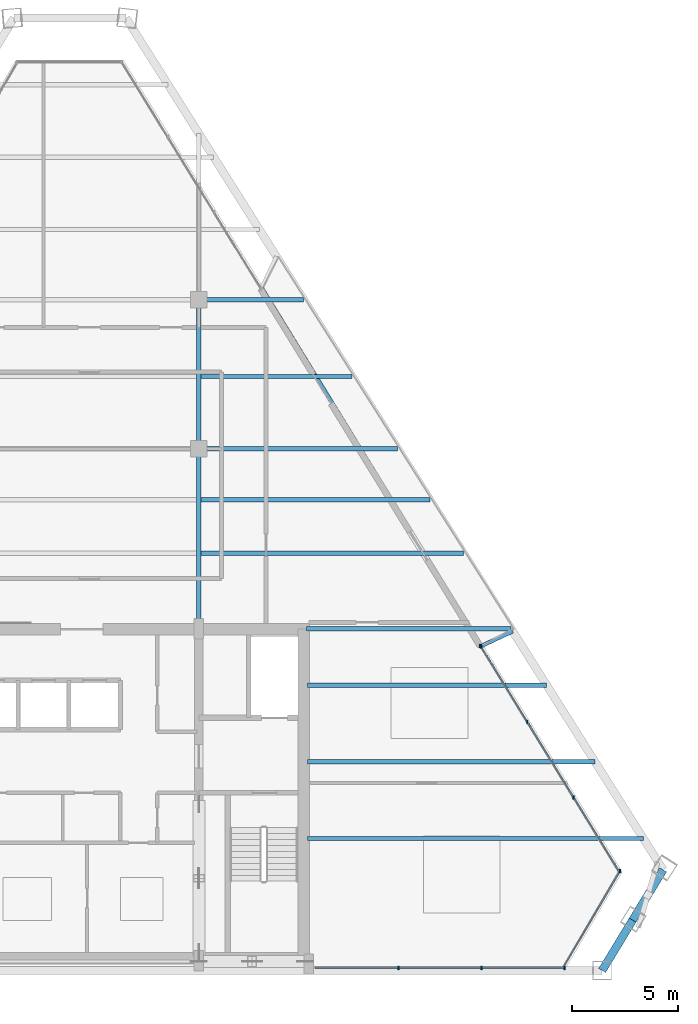
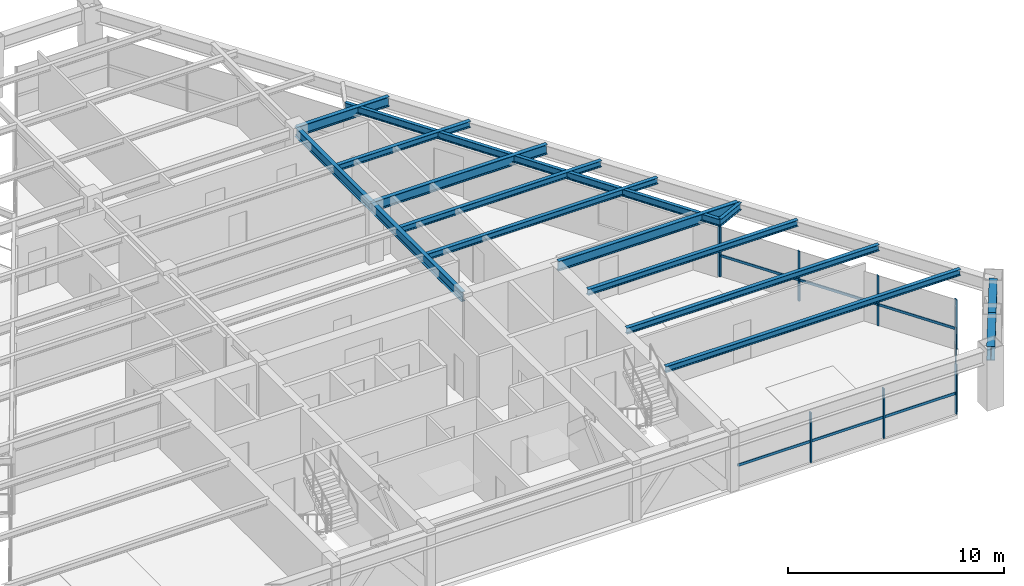
# One storey, part 5 of 13: 15 beams, 15 members, 3 elements without a shape of their own.
"""IFC4 building model written with IfcOpenShell, lengths in metres."""

import ifcopenshell
import ifcopenshell.guid

model = None  # the IFC model being written
_history = None  # IfcOwnerHistory: only IFC2X3 demands one
_inside = {}  # id of a spatial element -> (the spatial element, [elements in it])
_under = {}  # id of a project, library or spatial element -> (it, [spatial elements below it])
_declared = {}  # id of a project -> (the project, [libraries it declares])
_typed = {}  # id of a type object -> (the type object, [elements of that type])
_made_of = {}  # id of a material, layer set ... -> (it, [elements and type objects made of it])


def new_model(schema):
    """Start an empty IFC model of exactly this schema.

    Asked for "IFC4X3", IfcOpenShell would pick the latest addendum, in which some entities
    have other attributes; the version numbers below select the first issue.
    IFC2X3 requires an IfcOwnerHistory on every rooted entity: one is made here for all.
    """
    global model, _history
    if schema == "IFC4X3":
        model = ifcopenshell.file(schema_version=(4, 3, 0, 0))
    else:
        model = ifcopenshell.file(schema=schema)
    _inside.clear()
    _under.clear()
    _declared.clear()
    _typed.clear()
    _made_of.clear()
    _history = None
    if model.schema == "IFC2X3":
        org = make("IfcOrganization", Name="unknown")
        user = make(
            "IfcPersonAndOrganization",
            ThePerson=make("IfcPerson", FamilyName="unknown"),
            TheOrganization=org,
        )
        app = make(
            "IfcApplication",
            ApplicationDeveloper=org,
            Version="unknown",
            ApplicationFullName="unknown",
            ApplicationIdentifier="unknown",
        )
        _history = make(
            "IfcOwnerHistory",
            OwningUser=user,
            OwningApplication=app,
            ChangeAction="ADDED",
            CreationDate=0,
        )
    return model


def make(cls, **values):
    """One entity of the class cls with the attributes given. An attribute that is None is left unset."""
    return model.create_entity(
        cls, **{name: value for name, value in values.items() if value is not None}
    )


def rooted(cls, **values):
    """An entity with a GlobalId (a new one), such as an element, a storey or a relation."""
    return make(cls, GlobalId=ifcopenshell.guid.new(), OwnerHistory=_history, **values)


def si_unit(unit_type, name, prefix=None):
    """IfcSIUnit, for example si_unit("LENGTHUNIT", "METRE", prefix="MILLI")."""
    return make("IfcSIUnit", UnitType=unit_type, Prefix=prefix, Name=name)


def assignment(units):
    """IfcUnitAssignment: the units of a project."""
    return None if units is None else make("IfcUnitAssignment", Units=units)


def point(xyz):
    """IfcCartesianPoint."""
    return None if xyz is None else make("IfcCartesianPoint", Coordinates=xyz)


def direction(xyz):
    """IfcDirection."""
    return None if xyz is None else make("IfcDirection", DirectionRatios=xyz)


def frame(location, z_axis=None, x_axis=None):
    """IfcAxis2Placement3D, a coordinate frame: its origin and axes. An axis left out is left unset."""
    return make(
        "IfcAxis2Placement3D",
        Location=point(location),
        Axis=direction(z_axis),
        RefDirection=direction(x_axis),
    )


def frame_2d(location, x_axis=None):
    """IfcAxis2Placement2D, a coordinate frame in the plane: its origin and x axis."""
    return make(
        "IfcAxis2Placement2D", Location=point(location), RefDirection=direction(x_axis)
    )


def origin():
    """The frame at (0, 0, 0) with its axes left unset."""
    return frame((0.0, 0.0, 0.0))


def origin_2d():
    """The frame at (0, 0) in the plane with its x axis left unset."""
    return frame_2d((0.0, 0.0))


def place(relative_to, where):
    """IfcLocalPlacement: puts the frame where relative to a parent placement (None: the world)."""
    return make(
        "IfcLocalPlacement", PlacementRelTo=relative_to, RelativePlacement=where
    )


def context(
    kind, dimensions, precision=None, world=None, true_north=None, identifier=None
):
    """IfcGeometricRepresentationContext, for example the 3D "Model" context."""
    return make(
        "IfcGeometricRepresentationContext",
        ContextIdentifier=identifier,
        ContextType=kind,
        CoordinateSpaceDimension=dimensions,
        Precision=precision,
        WorldCoordinateSystem=world,
        TrueNorth=true_north,
    )


def subcontext(parent, identifier, kind, view, scale=None):
    """IfcGeometricRepresentationSubContext, for example "Body" below "Model"."""
    return make(
        "IfcGeometricRepresentationSubContext",
        ContextIdentifier=identifier,
        ContextType=kind,
        ParentContext=parent,
        TargetScale=scale,
        TargetView=view,
    )


def project(units=None, contexts=None):
    """IfcProject with its units and contexts."""
    return rooted(
        "IfcProject",
        Name="project",
        RepresentationContexts=contexts,
        UnitsInContext=assignment(units),
    )


def spatial(cls, under=None, at=None, **own):
    """A site, building, storey or space (cls), placed at a placement, below another one or the project."""
    s = rooted(cls, ObjectPlacement=at, **own)
    if under is not None:
        _under.setdefault(under.id(), (under, []))[1].append(s)
    return s


def profile(cls, at=None, kind="AREA", **sizes):
    """A parametric profile (cls). Its sizes go by their IFC names, for example OverallWidth=200.0."""
    return make(cls, ProfileType=kind, Position=at, **sizes)


def rectangle(**sizes):
    """IfcRectangleProfileDef."""
    return profile("IfcRectangleProfileDef", **sizes)


def i_section(**sizes):
    """IfcIShapeProfileDef."""
    return profile("IfcIShapeProfileDef", **sizes)


def extrude(swept, where, along, depth):
    """IfcExtrudedAreaSolid: the profile swept, set in the frame where, extruded along a direction by depth."""
    return make(
        "IfcExtrudedAreaSolid",
        SweptArea=swept,
        Position=where,
        ExtrudedDirection=direction(along),
        Depth=depth,
    )


def shape(context_of_items, identifier, shape_type, items):
    """IfcShapeRepresentation: the items that make up one representation, for example the "Body"."""
    return make(
        "IfcShapeRepresentation",
        ContextOfItems=context_of_items,
        RepresentationIdentifier=identifier,
        RepresentationType=shape_type,
        Items=items,
    )


def source(mapping_origin, context_of_items, identifier, shape_type, items):
    """IfcRepresentationMap: a shape defined once, which mapped items show again and again."""
    return make(
        "IfcRepresentationMap",
        MappingOrigin=mapping_origin,
        MappedRepresentation=shape(context_of_items, identifier, shape_type, items),
    )


def transform(
    local_origin,
    x_axis=None,
    y_axis=None,
    z_axis=None,
    scale=None,
    scale2=None,
    scale3=None,
    uniform=True,
):
    """IfcCartesianTransformationOperator3D, or its non-uniform kind. x_axis, y_axis, z_axis: its Axis1, 2, 3."""
    if uniform:
        return make(
            "IfcCartesianTransformationOperator3D",
            Axis1=direction(x_axis),
            Axis2=direction(y_axis),
            LocalOrigin=point(local_origin),
            Scale=scale,
            Axis3=direction(z_axis),
        )
    return make(
        "IfcCartesianTransformationOperator3DnonUniform",
        Axis1=direction(x_axis),
        Axis2=direction(y_axis),
        LocalOrigin=point(local_origin),
        Scale=scale,
        Axis3=direction(z_axis),
        Scale2=scale2,
        Scale3=scale3,
    )


def mapped(mapping_source, mapping_target):
    """IfcMappedItem: shows the shape of a source again, moved by a transform."""
    return make(
        "IfcMappedItem", MappingSource=mapping_source, MappingTarget=mapping_target
    )


def material(Name=None, Category=None):
    """IfcMaterial."""
    return make("IfcMaterial", Name=Name, Category=Category)


def material_profile(
    of_material, cross_section, Name=None, Category=None, Priority=None
):
    """IfcMaterialProfile: a cross section and its material."""
    return make(
        "IfcMaterialProfile",
        Name=Name,
        Material=of_material,
        Profile=cross_section,
        Priority=Priority,
        Category=Category,
    )


def profile_set(profiles, Name=None, composite=None):
    """IfcMaterialProfileSet."""
    return make(
        "IfcMaterialProfileSet",
        Name=Name,
        MaterialProfiles=profiles,
        CompositeProfile=composite,
    )


def made_of(thing, what):
    """Note that an element or type object is made of a material, layer set ...; save() writes the relation."""
    if what is not None:
        _made_of.setdefault(what.id(), (what, []))[1].append(thing)
    return thing


def type_object(cls, material=None, **own):
    """A type object (cls), such as IfcWallType, which elements share."""
    return made_of(rooted(cls, **own), material)


def type_shapes(of_type, sources):
    """Give a type object the sources (RepresentationMaps) that its elements show as mapped items."""
    of_type.RepresentationMaps = sources


def element(
    cls,
    number,
    at=None,
    inside=None,
    cuts=None,
    type_object=None,
    material=None,
    context=None,
    identifier="Body",
    shape_type=None,
    held_by="IfcProductDefinitionShape",
    body=None,
    shapes=None,
    **own,
):
    """One element of the class cls, such as IfcWall. Its Tag is "e" and its number.

    at: its placement. inside: the storey or other place that contains it. cuts: it is an
    opening in that element (IfcRelVoidsElement). A single representation is given by context,
    identifier, shape_type and body (its items); several are given by shapes. held_by: the class
    of the entity that holds the representations. save() writes the other relations.
    """
    e = rooted(cls, Tag="e%d" % number, ObjectPlacement=at, **own)
    if body is not None:
        shapes = [shape(context, identifier, shape_type, body)]
    if shapes is not None:
        e.Representation = make(held_by, Representations=shapes)
    if inside is not None:
        _inside.setdefault(inside.id(), (inside, []))[1].append(e)
    if cuts is not None:
        rooted(
            "IfcRelVoidsElement", RelatingBuildingElement=cuts, RelatedOpeningElement=e
        )
    if type_object is not None:
        _typed.setdefault(type_object.id(), (type_object, []))[1].append(e)
    return made_of(e, material)


def aggregate(whole, parts):
    """IfcRelAggregates: a whole, such as a stair, and the parts it consists of."""
    return rooted("IfcRelAggregates", RelatingObject=whole, RelatedObjects=parts)


def save(model, path):
    """Write the relations noted so far, then the file.

    IfcRelAggregates (storeys below a building ...), IfcRelContainedInSpatialStructure (elements
    in a storey), IfcRelDefinesByType, IfcRelAssociatesMaterial and IfcRelDeclares: one each for
    every whole, place, type object, material and project.
    """
    for whole, parts in _under.values():
        aggregate(whole, parts)
    for where, things in _inside.values():
        rooted(
            "IfcRelContainedInSpatialStructure",
            RelatedElements=things,
            RelatingStructure=where,
        )
    for kind, things in _typed.values():
        rooted("IfcRelDefinesByType", RelatedObjects=things, RelatingType=kind)
    for what, things in _made_of.values():
        rooted("IfcRelAssociatesMaterial", RelatedObjects=things, RelatingMaterial=what)
    for by, libraries in _declared.values():
        rooted("IfcRelDeclares", RelatingContext=by, RelatedDefinitions=libraries)
    model.write(path)


model = new_model("IFC4")

# Units and contexts
model_context = context("Model", 3, precision=1e-05, world=origin(), true_north=direction((0.0, 1.0)))
body_context = subcontext(model_context, "Body", "Model", "MODEL_VIEW")
ifc_project = project(units=[si_unit("LENGTHUNIT", "METRE"), si_unit("AREAUNIT", "SQUARE_METRE"), si_unit("VOLUMEUNIT", "CUBIC_METRE"), si_unit("PLANEANGLEUNIT", "RADIAN"), si_unit("MASSUNIT", "GRAM", prefix="KILO")], contexts=[model_context])

# Site, building, storey
site_placement = place(None, origin())
site = spatial("IfcSite", under=ifc_project, at=site_placement, CompositionType="ELEMENT")
building_placement = place(site_placement, origin())
building = spatial("IfcBuilding", under=site, at=building_placement, Name="Varnakhor Terracotta Tower", CompositionType="ELEMENT")
storey_placement = place(building_placement, frame((0.0, 0.0, 244.14990234375)))
storey = spatial("IfcBuildingStorey", under=building, at=storey_placement, Name="L63", CompositionType="ELEMENT", Elevation=244.14990234375)

# Beams
ifc_material_1 = material(Name="Steel S355", Category="steel")
ifc_material_profile_1 = material_profile(ifc_material_1, i_section(OverallWidth=0.214111328125, OverallDepth=0.549072265625, WebThickness=0.014892578125, FlangeThickness=0.02392578125, FilletRadius=0.01806640625, at=origin_2d()), Name="W21X93")
ifc_profile_set_1 = profile_set([ifc_material_profile_1], Name="Steel S355")
beam_type_1 = type_object("IfcBeamType", Name="BM-W21X93", PredefinedType="BEAM", material=ifc_profile_set_1)
shared_shape_1 = source(origin(), body_context, "Body", "SweptSolid", [
    extrude(i_section(OverallWidth=0.214111328125, OverallDepth=0.549072265625, WebThickness=0.014892578125, FlangeThickness=0.02392578125, FilletRadius=0.01806640625, at=origin_2d()), origin(), (0.0, 0.0, 1.0), 8.449951171875),
])
type_shapes(beam_type_1, [shared_shape_1])
beam_1_placement = place(storey_placement, frame((5.5, 16.050048828125, 2.965576171875), z_axis=(0.0, 1.0, 0.0), x_axis=(-1.0, 0.0, 0.0)))
element("IfcBeam", 1, at=beam_1_placement, inside=storey, type_object=beam_type_1, Name="L63 Primary Girder NS1-E", PredefinedType="BEAM", context=body_context, shape_type="MappedRepresentation", body=[
    mapped(shared_shape_1, transform((0.0, 0.0, 0.0), scale=1.0)),
])
shared_shape_2 = source(origin(), body_context, "Body", "SweptSolid", [
    extrude(i_section(OverallWidth=0.214111328125, OverallDepth=0.549072265625, WebThickness=0.014892578125, FlangeThickness=0.02392578125, FilletRadius=0.01806640625, at=origin_2d()), origin(), (0.0, 0.0, 1.0), 7.0),
])
beam_2_placement = place(storey_placement, frame((5.5, 24.5, 2.965576171875), z_axis=(0.0, 1.0, 0.0), x_axis=(-1.0, 0.0, 0.0)))
element("IfcBeam", 2, at=beam_2_placement, inside=storey, type_object=beam_type_1, Name="L63 Primary Girder NS2-E", PredefinedType="BEAM", context=body_context, shape_type="MappedRepresentation", body=[
    mapped(shared_shape_2, transform((0.0, 0.0, 0.0), scale=1.0)),
])
ifc_material_profile_2 = material_profile(ifc_material_1, i_section(OverallWidth=0.381103515625, OverallDepth=0.77294921875, WebThickness=0.01708984375, FlangeThickness=0.027099609375, FilletRadius=0.01806640625, at=origin_2d()), Name="W30X173")
ifc_profile_set_2 = profile_set([ifc_material_profile_2], Name="Steel S355")
beam_type_2 = type_object("IfcBeamType", Name="BM-W30X173", PredefinedType="BEAM", material=ifc_profile_set_2)
shared_shape_3 = source(origin(), body_context, "Body", "SweptSolid", [
    extrude(i_section(OverallWidth=0.381103515625, OverallDepth=0.77294921875, WebThickness=0.01708984375, FlangeThickness=0.027099609375, FilletRadius=0.01806640625, at=origin_2d()), origin(), (0.0, 0.0, 1.0), 2.76220703125),
])
for number, where, z_axis, x_axis, name in (
    (3, (24.440185546875, 0.0, 2.853515625), (0.518013743971, 0.855372293833, 0.0), (-0.855372293833, 0.518013743971, 0.0), "L63 Perimeter Spandrel 2"),
    (4, (25.87109375, 2.36279296875, 2.853515625), (0.518013743971, 0.855372293833, 0.0), (-0.855372293833, 0.518013743971, 0.0), "L63 Perimeter Spandrel 3"),
):
    element("IfcBeam", number, at=place(storey_placement, frame(where, z_axis=z_axis, x_axis=x_axis)), inside=storey, type_object=beam_type_2, Name=name, PredefinedType="BEAM", context=body_context, shape_type="MappedRepresentation", body=[
        mapped(shared_shape_3, transform((0.0, 0.0, 0.0), scale=1.0)),
    ])
ifc_material_profile_3 = material_profile(ifc_material_1, i_section(OverallWidth=0.179931640625, OverallDepth=0.39990234375, WebThickness=0.008544921875, FlangeThickness=0.013427734375, FilletRadius=0.01806640625, at=origin_2d()), Name="IPE400")
ifc_profile_set_3 = profile_set([ifc_material_profile_3], Name="Steel S355")
beam_type_3 = type_object("IfcBeamType", Name="JST-IPE400", PredefinedType="JOIST", material=ifc_profile_set_3)
shared_shape_4 = source(origin(), body_context, "Body", "SweptSolid", [
    extrude(i_section(OverallWidth=0.179931640625, OverallDepth=0.39990234375, WebThickness=0.008544921875, FlangeThickness=0.013427734375, FilletRadius=0.01806640625, at=origin_2d()), origin(), (0.0, 0.0, 1.0), 19.7392578125),
])
beam_3_placement = place(storey_placement, frame((18.75341796875, 15.229736328125, 3.0400390625), z_axis=(-0.522311741814, 0.852754621426, 0.0), x_axis=(-0.852754621426, -0.522311741814, 0.0)))
element("IfcBeam", 5, at=beam_3_placement, inside=storey, type_object=beam_type_3, Name="L63 Loggia Edge Beam 1", PredefinedType="JOIST", context=body_context, shape_type="MappedRepresentation", body=[
    mapped(shared_shape_4, transform((0.0, 0.0, 0.0), scale=1.0)),
])
shared_shape_5 = source(origin(), body_context, "Body", "SweptSolid", [
    extrude(i_section(OverallWidth=0.214111328125, OverallDepth=0.549072265625, WebThickness=0.014892578125, FlangeThickness=0.02392578125, FilletRadius=0.01806640625, at=origin_2d()), origin(), (0.0, 0.0, 1.0), 9.611572265625),
])
beam_4_placement = place(storey_placement, frame((10.550048828125, 16.050048828125, 2.965576171875), z_axis=(1.0, 0.0, 0.0), x_axis=(0.0, 1.0, 0.0)))
element("IfcBeam", 6, at=beam_4_placement, inside=storey, type_object=beam_type_1, Name="L63 Wing Girder E", PredefinedType="BEAM", context=body_context, shape_type="MappedRepresentation", body=[
    mapped(shared_shape_5, transform((0.0, 0.0, 0.0), scale=1.0)),
])
shared_shape_6 = source(origin(), body_context, "Body", "SweptSolid", [
    extrude(i_section(OverallWidth=0.214111328125, OverallDepth=0.549072265625, WebThickness=0.014892578125, FlangeThickness=0.02392578125, FilletRadius=0.01806640625, at=origin_2d()), origin(), (0.0, 0.0, 1.0), 9.333740234375),
])
beam_5_placement = place(storey_placement, frame((5.5, 24.5, 2.965576171875), z_axis=(1.0, 0.0, 0.0), x_axis=(0.0, 1.0, 0.0)))
element("IfcBeam", 7, at=beam_5_placement, inside=storey, type_object=beam_type_1, Name="L63 Primary Girder EW2-3", PredefinedType="BEAM", context=body_context, shape_type="MappedRepresentation", body=[
    mapped(shared_shape_6, transform((0.0, 0.0, 0.0), scale=1.0)),
])
shared_shape_7 = source(origin(), body_context, "Body", "SweptSolid", [
    extrude(i_section(OverallWidth=0.214111328125, OverallDepth=0.549072265625, WebThickness=0.014892578125, FlangeThickness=0.02392578125, FilletRadius=0.01806640625, at=origin_2d()), origin(), (0.0, 0.0, 1.0), 4.919921875),
])
beam_6_placement = place(storey_placement, frame((5.5, 31.5, 2.965576171875), z_axis=(1.0, 0.0, 0.0), x_axis=(0.0, 1.0, 0.0)))
element("IfcBeam", 8, at=beam_6_placement, inside=storey, type_object=beam_type_1, Name="L63 Primary Girder EW3-3", PredefinedType="BEAM", context=body_context, shape_type="MappedRepresentation", body=[
    mapped(shared_shape_7, transform((0.0, 0.0, 0.0), scale=1.0)),
])
ifc_material_profile_4 = material_profile(ifc_material_1, i_section(OverallWidth=0.202880859375, OverallDepth=0.346923828125, WebThickness=0.0078125, FlangeThickness=0.013427734375, FilletRadius=0.01806640625, at=origin_2d()), Name="W14X43")
ifc_profile_set_4 = profile_set([ifc_material_profile_4], Name="Steel S355")
beam_type_4 = type_object("IfcBeamType", Name="JST-W14X43", PredefinedType="JOIST", material=ifc_profile_set_4)
shared_shape_8 = source(origin(), body_context, "Body", "SweptSolid", [
    extrude(i_section(OverallWidth=0.202880859375, OverallDepth=0.346923828125, WebThickness=0.0078125, FlangeThickness=0.013427734375, FilletRadius=0.01806640625, at=origin_2d()), origin(), (0.0, 0.0, 1.0), 15.772216796875),
])
beam_7_placement = place(storey_placement, frame((10.60009765625, 6.199951171875, 3.066650390625), z_axis=(1.0, 0.0, 0.0), x_axis=(0.0, 1.0, 0.0)))
element("IfcBeam", 9, at=beam_7_placement, inside=storey, type_object=beam_type_4, Name="L63 Floor Joist E1", PredefinedType="JOIST", context=body_context, shape_type="MappedRepresentation", body=[
    mapped(shared_shape_8, transform((0.0, 0.0, 0.0), scale=1.0)),
])
shared_shape_9 = source(origin(), body_context, "Body", "SweptSolid", [
    extrude(i_section(OverallWidth=0.202880859375, OverallDepth=0.346923828125, WebThickness=0.0078125, FlangeThickness=0.013427734375, FilletRadius=0.01806640625, at=origin_2d()), origin(), (0.0, 0.0, 1.0), 13.50244140625),
])
beam_8_placement = place(storey_placement, frame((10.60009765625, 9.800048828125, 3.066650390625), z_axis=(1.0, 0.0, 0.0), x_axis=(0.0, 1.0, 0.0)))
element("IfcBeam", 10, at=beam_8_placement, inside=storey, type_object=beam_type_4, Name="L63 Floor Joist E2", PredefinedType="JOIST", context=body_context, shape_type="MappedRepresentation", body=[
    mapped(shared_shape_9, transform((0.0, 0.0, 0.0), scale=1.0)),
])
shared_shape_10 = source(origin(), body_context, "Body", "SweptSolid", [
    extrude(i_section(OverallWidth=0.202880859375, OverallDepth=0.346923828125, WebThickness=0.0078125, FlangeThickness=0.013427734375, FilletRadius=0.01806640625, at=origin_2d()), origin(), (0.0, 0.0, 1.0), 11.232421875),
])
beam_9_placement = place(storey_placement, frame((10.60009765625, 13.39990234375, 3.066650390625), z_axis=(1.0, 0.0, 0.0), x_axis=(0.0, 1.0, 0.0)))
element("IfcBeam", 11, at=beam_9_placement, inside=storey, type_object=beam_type_4, Name="L63 Floor Joist E3", PredefinedType="JOIST", context=body_context, shape_type="MappedRepresentation", body=[
    mapped(shared_shape_10, transform((0.0, 0.0, 0.0), scale=1.0)),
])
shared_shape_11 = source(origin(), body_context, "Body", "SweptSolid", [
    extrude(i_section(OverallWidth=0.202880859375, OverallDepth=0.346923828125, WebThickness=0.0078125, FlangeThickness=0.013427734375, FilletRadius=0.01806640625, at=origin_2d()), origin(), (0.0, 0.0, 1.0), 12.3203125),
])
beam_10_placement = place(storey_placement, frame((5.60302734375, 19.60009765625, 3.066650390625), z_axis=(1.0, 0.0, 0.0), x_axis=(0.0, 1.0, 0.0)))
element("IfcBeam", 12, at=beam_10_placement, inside=storey, type_object=beam_type_4, Name="L63 Composite Floor Joist 4-3", PredefinedType="JOIST", context=body_context, shape_type="MappedRepresentation", body=[
    mapped(shared_shape_11, transform((0.0, 0.0, 0.0), scale=1.0)),
])
shared_shape_12 = source(origin(), body_context, "Body", "SweptSolid", [
    extrude(i_section(OverallWidth=0.202880859375, OverallDepth=0.346923828125, WebThickness=0.0078125, FlangeThickness=0.013427734375, FilletRadius=0.01806640625, at=origin_2d()), origin(), (0.0, 0.0, 1.0), 10.743896484375),
])
beam_11_placement = place(storey_placement, frame((5.60302734375, 22.10009765625, 3.066650390625), z_axis=(1.0, 0.0, 0.0), x_axis=(0.0, 1.0, 0.0)))
element("IfcBeam", 13, at=beam_11_placement, inside=storey, type_object=beam_type_4, Name="L63 Composite Floor Joist 5-3", PredefinedType="JOIST", context=body_context, shape_type="MappedRepresentation", body=[
    mapped(shared_shape_12, transform((0.0, 0.0, 0.0), scale=1.0)),
])
shared_shape_13 = source(origin(), body_context, "Body", "SweptSolid", [
    extrude(i_section(OverallWidth=0.202880859375, OverallDepth=0.346923828125, WebThickness=0.0078125, FlangeThickness=0.013427734375, FilletRadius=0.01806640625, at=origin_2d()), origin(), (0.0, 0.0, 1.0), 7.0869140625),
])
beam_12_placement = place(storey_placement, frame((5.60302734375, 27.89990234375, 3.066650390625), z_axis=(1.0, 0.0, 0.0), x_axis=(0.0, 1.0, 0.0)))
element("IfcBeam", 14, at=beam_12_placement, inside=storey, type_object=beam_type_4, Name="L63 Composite Floor Joist 6-3", PredefinedType="JOIST", context=body_context, shape_type="MappedRepresentation", body=[
    mapped(shared_shape_13, transform((0.0, 0.0, 0.0), scale=1.0)),
])

# Curtain wall, members
ifc_material_2 = material(Name="Anodised Aluminium Curtain Wall System", Category="aluminium")
curtain_wall_type = type_object("IfcCurtainWallType", Name="CW-SYS-HOTEL-LOGGIA", PredefinedType="NOTDEFINED", material=ifc_material_2)
curtain_wall_1_placement = place(storey_placement, origin())
curtain_wall_1 = element("IfcCurtainWall", 15, at=curtain_wall_1_placement, inside=storey, type_object=curtain_wall_type, Name="L63 E Facet Curtain Wall 2", PredefinedType="NOTDEFINED")
ifc_material_3 = material(Name="Anodised Aluminium 6063-T6", Category="aluminium")
ifc_material_profile_5 = material_profile(ifc_material_3, rectangle(XDim=0.06494140625, YDim=0.159912109375, at=origin_2d()), Name="ALU MULLION 65x160")
ifc_profile_set_5 = profile_set([ifc_material_profile_5], Name="Anodised Aluminium 6063-T6")
member_type_1 = type_object("IfcMemberType", Name="CWM-04", PredefinedType="MULLION", material=ifc_profile_set_5)
shared_shape_14 = source(origin(), body_context, "Body", "SweptSolid", [
    extrude(rectangle(XDim=0.06494140625, YDim=0.159912109375, at=origin_2d()), origin(), (0.0, 0.0, 1.0), 2.820068359375),
])
type_shapes(member_type_1, [shared_shape_14])
member_1_placement = place(storey_placement, frame((18.740966796875, 15.218017578125, 0.0), z_axis=(0.0, 0.0, 1.0), x_axis=(1.0, 0.0, 0.0)))
member_1 = element("IfcMember", 16, at=member_1_placement, type_object=member_type_1, Name="L63 E Facet Curtain Wall 2 Mullion 1", PredefinedType="MULLION", context=body_context, shape_type="MappedRepresentation", body=[
    mapped(shared_shape_14, transform((0.0, 0.0, 0.0), scale=1.0)),
])
member_2_placement = place(storey_placement, frame((20.918212890625, 11.6748046875, 0.0), z_axis=(0.0, 0.0, 1.0), x_axis=(1.0, 0.0, 0.0)))
member_2 = element("IfcMember", 17, at=member_2_placement, type_object=member_type_1, Name="L63 E Facet Curtain Wall 2 Mullion 2", PredefinedType="MULLION", context=body_context, shape_type="MappedRepresentation", body=[
    mapped(shared_shape_14, transform((0.0, 0.0, 0.0), scale=1.0)),
])
member_3_placement = place(storey_placement, frame((23.095703125, 8.131591796875, 0.0), z_axis=(0.0, 0.0, 1.0), x_axis=(1.0, 0.0, 0.0)))
member_3 = element("IfcMember", 18, at=member_3_placement, type_object=member_type_1, Name="L63 E Facet Curtain Wall 2 Mullion 3", PredefinedType="MULLION", context=body_context, shape_type="MappedRepresentation", body=[
    mapped(shared_shape_14, transform((0.0, 0.0, 0.0), scale=1.0)),
])
member_4_placement = place(storey_placement, frame((18.708251953125, 15.233154296875, 0.0), z_axis=(0.0, 0.0, 1.0), x_axis=(1.0, 0.0, 0.0)))
member_4 = element("IfcMember", 19, at=member_4_placement, type_object=member_type_1, Name="L63 E Loggia Jamb Closure Mullion 2", PredefinedType="MULLION", context=body_context, shape_type="MappedRepresentation", body=[
    mapped(shared_shape_14, transform((0.0, 0.0, 0.0), scale=1.0)),
])

# Curtain wall, member
curtain_wall_2_placement = place(storey_placement, origin())
curtain_wall_2 = element("IfcCurtainWall", 20, at=curtain_wall_2_placement, inside=storey, type_object=curtain_wall_type, Name="L63 Facet Curtain Wall 4", PredefinedType="NOTDEFINED")
member_5_placement = place(storey_placement, frame((25.272216796875, 4.660888671875, 0.0), z_axis=(0.0, 0.0, 1.0), x_axis=(1.0, 0.0, 0.0)))
member_5 = element("IfcMember", 21, at=member_5_placement, type_object=member_type_1, Name="L63 Facet Curtain Wall 4 Mullion 1", PredefinedType="MULLION", context=body_context, shape_type="MappedRepresentation", body=[
    mapped(shared_shape_14, transform((0.0, 0.0, 0.0), scale=1.0)),
])

# Curtain wall, members
curtain_wall_3_placement = place(storey_placement, origin())
curtain_wall_3 = element("IfcCurtainWall", 22, at=curtain_wall_3_placement, inside=storey, type_object=curtain_wall_type, Name="L63 South Wing Curtain Wall SSE", PredefinedType="NOTDEFINED")
member_6_placement = place(storey_placement, frame((22.66162109375, 0.1201171875, 0.0), z_axis=(0.0, 0.0, 1.0), x_axis=(1.0, 0.0, 0.0)))
member_6 = element("IfcMember", 23, at=member_6_placement, type_object=member_type_1, Name="L63 South Wing Curtain Wall SSE Mullion 1", PredefinedType="MULLION", context=body_context, shape_type="MappedRepresentation", body=[
    mapped(shared_shape_14, transform((0.0, 0.0, 0.0), scale=1.0)),
])
member_7_placement = place(storey_placement, frame((18.764404296875, 0.1201171875, 0.0), z_axis=(0.0, 0.0, 1.0), x_axis=(1.0, 0.0, 0.0)))
member_7 = element("IfcMember", 24, at=member_7_placement, type_object=member_type_1, Name="L63 South Wing Curtain Wall SSE Mullion 2", PredefinedType="MULLION", context=body_context, shape_type="MappedRepresentation", body=[
    mapped(shared_shape_14, transform((0.0, 0.0, 0.0), scale=1.0)),
])
member_8_placement = place(storey_placement, frame((14.8671875, 0.1201171875, 0.0), z_axis=(0.0, 0.0, 1.0), x_axis=(1.0, 0.0, 0.0)))
member_8 = element("IfcMember", 25, at=member_8_placement, type_object=member_type_1, Name="L63 South Wing Curtain Wall SSE Mullion 3", PredefinedType="MULLION", context=body_context, shape_type="MappedRepresentation", body=[
    mapped(shared_shape_14, transform((0.0, 0.0, 0.0), scale=1.0)),
])

# Member
ifc_material_profile_6 = material_profile(ifc_material_3, rectangle(XDim=0.06494140625, YDim=0.14501953125, at=origin_2d()), Name="ALU TRANSOM 65x145")
ifc_profile_set_6 = profile_set([ifc_material_profile_6], Name="Anodised Aluminium 6063-T6")
member_type_2 = type_object("IfcMemberType", Name="CWT-04", PredefinedType="USERDEFINED", material=ifc_profile_set_6)
shared_shape_15 = source(origin(), body_context, "Body", "SweptSolid", [
    extrude(rectangle(XDim=0.06494140625, YDim=0.14501953125, at=origin_2d()), origin(), (0.0, 0.0, 1.0), 4.15869140625),
])
member_9_placement = place(storey_placement, frame((18.740966796875, 15.218017578125, 1.1845703125), z_axis=(0.523540488091, -0.852000796554, 0.0), x_axis=(0.852000796554, 0.523540488091, 0.0)))
member_9 = element("IfcMember", 26, at=member_9_placement, type_object=member_type_2, Name="L63 E Facet Curtain Wall 2 Transom 1", ObjectType="TRANSOM", PredefinedType="USERDEFINED", context=body_context, shape_type="MappedRepresentation", body=[
    mapped(shared_shape_15, transform((0.0, 0.0, 0.0), scale=1.0)),
])

member_10_placement = place(storey_placement, frame((23.095703125, 8.131591796875, 1.1845703125), z_axis=(0.523540488091, -0.852000796554, 0.0), x_axis=(0.852000796554, 0.523540488091, 0.0)))
member_10 = element("IfcMember", 27, at=member_10_placement, type_object=member_type_2, Name="L63 E Facet Curtain Wall 2 Transom 3", ObjectType="TRANSOM", PredefinedType="USERDEFINED", context=body_context, shape_type="MappedRepresentation", body=[
    mapped(shared_shape_15, transform((0.0, 0.0, 0.0), scale=1.0)),
])

shared_shape_16 = source(origin(), body_context, "Body", "SweptSolid", [
    extrude(rectangle(XDim=0.06494140625, YDim=0.14501953125, at=origin_2d()), origin(), (0.0, 0.0, 1.0), 4.158935546875),
])
member_11_placement = place(storey_placement, frame((20.918212890625, 11.6748046875, 1.1845703125), z_axis=(0.523583101158, -0.851974610057, 0.0), x_axis=(0.851974610057, 0.523583101158, 0.0)))
member_11 = element("IfcMember", 28, at=member_11_placement, type_object=member_type_2, Name="L63 E Facet Curtain Wall 2 Transom 2", ObjectType="TRANSOM", PredefinedType="USERDEFINED", context=body_context, shape_type="MappedRepresentation", body=[
    mapped(shared_shape_16, transform((0.0, 0.0, 0.0), scale=1.0)),
])

aggregate(curtain_wall_1, [member_1, member_9, member_2, member_11, member_3, member_10, member_4])

shared_shape_17 = source(origin(), body_context, "Body", "SweptSolid", [
    extrude(rectangle(XDim=0.06494140625, YDim=0.14501953125, at=origin_2d()), origin(), (0.0, 0.0, 1.0), 5.305908203125),
])
member_12_placement = place(storey_placement, frame((25.272216796875, 4.660888671875, 1.1845703125), z_axis=(-0.506740591948, -0.862098586284, 0.0), x_axis=(0.862098586284, -0.506740591948, 0.0)))
member_12 = element("IfcMember", 29, at=member_12_placement, type_object=member_type_2, Name="L63 Facet Curtain Wall 4 Transom 1", ObjectType="TRANSOM", PredefinedType="USERDEFINED", context=body_context, shape_type="MappedRepresentation", body=[
    mapped(shared_shape_17, transform((0.0, 0.0, 0.0), scale=1.0)),
])

aggregate(curtain_wall_2, [member_5, member_12])

shared_shape_18 = source(origin(), body_context, "Body", "SweptSolid", [
    extrude(rectangle(XDim=0.06494140625, YDim=0.14501953125, at=origin_2d()), origin(), (0.0, 0.0, 1.0), 3.897216796875),
])
member_13_placement = place(storey_placement, frame((22.66162109375, 0.1201171875, 1.1845703125), z_axis=(-1.0, 0.0, 0.0), x_axis=(0.0, -1.0, 0.0)))
member_13 = element("IfcMember", 30, at=member_13_placement, type_object=member_type_2, Name="L63 South Wing Curtain Wall SSE Transom 1", ObjectType="TRANSOM", PredefinedType="USERDEFINED", context=body_context, shape_type="MappedRepresentation", body=[
    mapped(shared_shape_18, transform((0.0, 0.0, 0.0), scale=1.0)),
])

member_14_placement = place(storey_placement, frame((18.764404296875, 0.1201171875, 1.1845703125), z_axis=(-1.0, 0.0, 0.0), x_axis=(0.0, -1.0, 0.0)))
member_14 = element("IfcMember", 31, at=member_14_placement, type_object=member_type_2, Name="L63 South Wing Curtain Wall SSE Transom 2", ObjectType="TRANSOM", PredefinedType="USERDEFINED", context=body_context, shape_type="MappedRepresentation", body=[
    mapped(shared_shape_18, transform((0.0, 0.0, 0.0), scale=1.0)),
])

member_15_placement = place(storey_placement, frame((14.8671875, 0.1201171875, 1.1845703125), z_axis=(-1.0, 0.0, 0.0), x_axis=(0.0, -1.0, 0.0)))
member_15 = element("IfcMember", 32, at=member_15_placement, type_object=member_type_2, Name="L63 South Wing Curtain Wall SSE Transom 3", ObjectType="TRANSOM", PredefinedType="USERDEFINED", context=body_context, shape_type="MappedRepresentation", body=[
    mapped(shared_shape_18, transform((0.0, 0.0, 0.0), scale=1.0)),
])

aggregate(curtain_wall_3, [member_6, member_13, member_7, member_14, member_8, member_15])

# Beam
shared_shape_19 = source(origin(), body_context, "Body", "SweptSolid", [
    extrude(i_section(OverallWidth=0.179931640625, OverallDepth=0.39990234375, WebThickness=0.008544921875, FlangeThickness=0.013427734375, FilletRadius=0.01806640625, at=origin_2d()), origin(), (0.0, 0.0, 1.0), 1.640869140625),
])
beam_13_placement = place(storey_placement, frame((18.75341796875, 15.229736328125, 3.0400390625), z_axis=(0.904741135292, 0.425961827058, 0.0), x_axis=(-0.425961827058, 0.904741135292, 0.0)))
element("IfcBeam", 33, at=beam_13_placement, inside=storey, type_object=beam_type_3, Name="L64 E Loggia Tie Beam 2", PredefinedType="JOIST", context=body_context, shape_type="MappedRepresentation", body=[
    mapped(shared_shape_19, transform((0.0, 0.0, 0.0), scale=1.0)),
])

save(model, "model.ifc")
